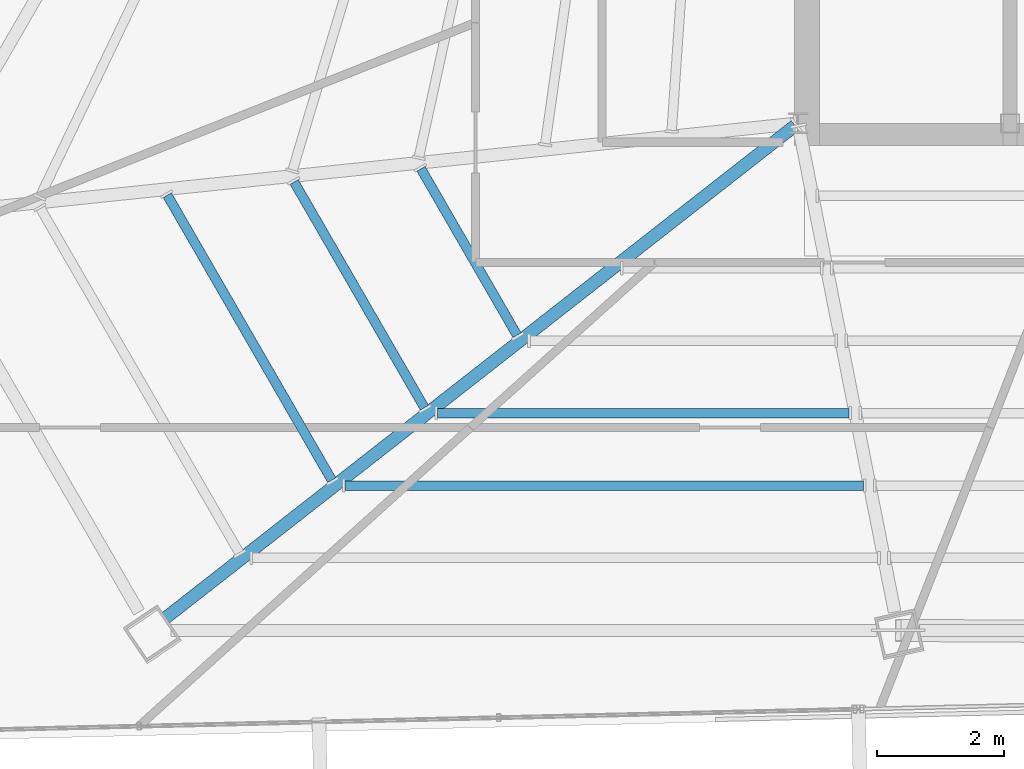
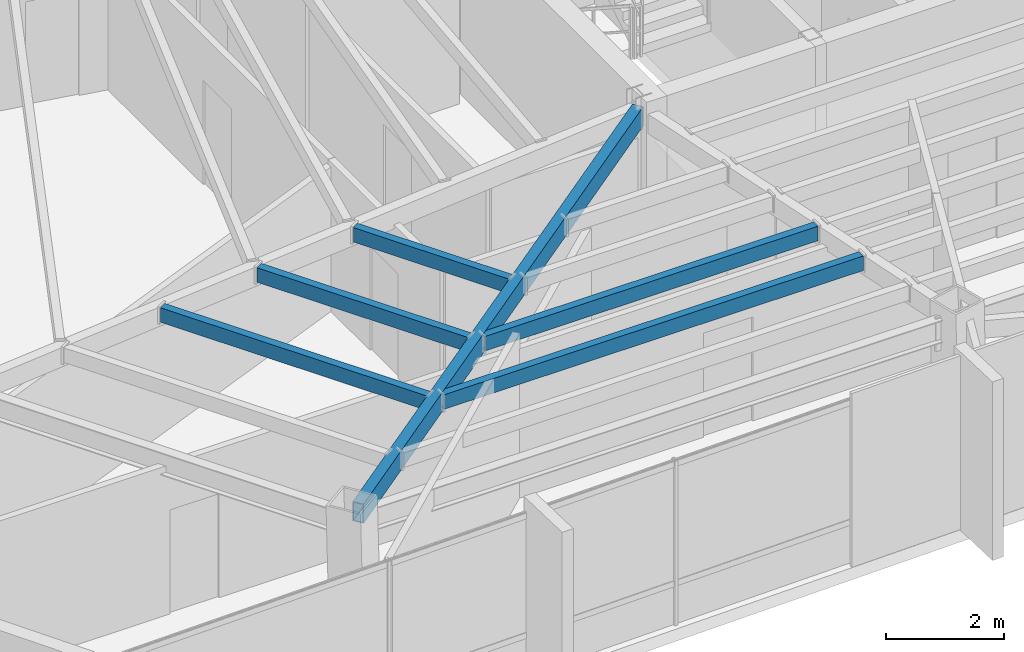
# One storey, part 6 of 47: 6 beams.
"""IFC4 building model written with IfcOpenShell, lengths in metres."""

import ifcopenshell
import ifcopenshell.guid

model = None  # the IFC model being written
_history = None  # IfcOwnerHistory: only IFC2X3 demands one
_inside = {}  # id of a spatial element -> (the spatial element, [elements in it])
_under = {}  # id of a project, library or spatial element -> (it, [spatial elements below it])
_declared = {}  # id of a project -> (the project, [libraries it declares])
_typed = {}  # id of a type object -> (the type object, [elements of that type])
_made_of = {}  # id of a material, layer set ... -> (it, [elements and type objects made of it])


def new_model(schema):
    """Start an empty IFC model of exactly this schema.

    Asked for "IFC4X3", IfcOpenShell would pick the latest addendum, in which some entities
    have other attributes; the version numbers below select the first issue.
    IFC2X3 requires an IfcOwnerHistory on every rooted entity: one is made here for all.
    """
    global model, _history
    if schema == "IFC4X3":
        model = ifcopenshell.file(schema_version=(4, 3, 0, 0))
    else:
        model = ifcopenshell.file(schema=schema)
    _inside.clear()
    _under.clear()
    _declared.clear()
    _typed.clear()
    _made_of.clear()
    _history = None
    if model.schema == "IFC2X3":
        org = make("IfcOrganization", Name="unknown")
        user = make(
            "IfcPersonAndOrganization",
            ThePerson=make("IfcPerson", FamilyName="unknown"),
            TheOrganization=org,
        )
        app = make(
            "IfcApplication",
            ApplicationDeveloper=org,
            Version="unknown",
            ApplicationFullName="unknown",
            ApplicationIdentifier="unknown",
        )
        _history = make(
            "IfcOwnerHistory",
            OwningUser=user,
            OwningApplication=app,
            ChangeAction="ADDED",
            CreationDate=0,
        )
    return model


def make(cls, **values):
    """One entity of the class cls with the attributes given. An attribute that is None is left unset."""
    return model.create_entity(
        cls, **{name: value for name, value in values.items() if value is not None}
    )


def rooted(cls, **values):
    """An entity with a GlobalId (a new one), such as an element, a storey or a relation."""
    return make(cls, GlobalId=ifcopenshell.guid.new(), OwnerHistory=_history, **values)


def si_unit(unit_type, name, prefix=None):
    """IfcSIUnit, for example si_unit("LENGTHUNIT", "METRE", prefix="MILLI")."""
    return make("IfcSIUnit", UnitType=unit_type, Prefix=prefix, Name=name)


def assignment(units):
    """IfcUnitAssignment: the units of a project."""
    return None if units is None else make("IfcUnitAssignment", Units=units)


def point(xyz):
    """IfcCartesianPoint."""
    return None if xyz is None else make("IfcCartesianPoint", Coordinates=xyz)


def direction(xyz):
    """IfcDirection."""
    return None if xyz is None else make("IfcDirection", DirectionRatios=xyz)


def frame(location, z_axis=None, x_axis=None):
    """IfcAxis2Placement3D, a coordinate frame: its origin and axes. An axis left out is left unset."""
    return make(
        "IfcAxis2Placement3D",
        Location=point(location),
        Axis=direction(z_axis),
        RefDirection=direction(x_axis),
    )


def frame_2d(location, x_axis=None):
    """IfcAxis2Placement2D, a coordinate frame in the plane: its origin and x axis."""
    return make(
        "IfcAxis2Placement2D", Location=point(location), RefDirection=direction(x_axis)
    )


def origin():
    """The frame at (0, 0, 0) with its axes left unset."""
    return frame((0.0, 0.0, 0.0))


def origin_2d():
    """The frame at (0, 0) in the plane with its x axis left unset."""
    return frame_2d((0.0, 0.0))


def place(relative_to, where):
    """IfcLocalPlacement: puts the frame where relative to a parent placement (None: the world)."""
    return make(
        "IfcLocalPlacement", PlacementRelTo=relative_to, RelativePlacement=where
    )


def context(
    kind, dimensions, precision=None, world=None, true_north=None, identifier=None
):
    """IfcGeometricRepresentationContext, for example the 3D "Model" context."""
    return make(
        "IfcGeometricRepresentationContext",
        ContextIdentifier=identifier,
        ContextType=kind,
        CoordinateSpaceDimension=dimensions,
        Precision=precision,
        WorldCoordinateSystem=world,
        TrueNorth=true_north,
    )


def subcontext(parent, identifier, kind, view, scale=None):
    """IfcGeometricRepresentationSubContext, for example "Body" below "Model"."""
    return make(
        "IfcGeometricRepresentationSubContext",
        ContextIdentifier=identifier,
        ContextType=kind,
        ParentContext=parent,
        TargetScale=scale,
        TargetView=view,
    )


def project(units=None, contexts=None):
    """IfcProject with its units and contexts."""
    return rooted(
        "IfcProject",
        Name="project",
        RepresentationContexts=contexts,
        UnitsInContext=assignment(units),
    )


def spatial(cls, under=None, at=None, **own):
    """A site, building, storey or space (cls), placed at a placement, below another one or the project."""
    s = rooted(cls, ObjectPlacement=at, **own)
    if under is not None:
        _under.setdefault(under.id(), (under, []))[1].append(s)
    return s


def profile(cls, at=None, kind="AREA", **sizes):
    """A parametric profile (cls). Its sizes go by their IFC names, for example OverallWidth=200.0."""
    return make(cls, ProfileType=kind, Position=at, **sizes)


def hollow_rectangle(**sizes):
    """IfcRectangleHollowProfileDef."""
    return profile("IfcRectangleHollowProfileDef", **sizes)


def extrude(swept, where, along, depth):
    """IfcExtrudedAreaSolid: the profile swept, set in the frame where, extruded along a direction by depth."""
    return make(
        "IfcExtrudedAreaSolid",
        SweptArea=swept,
        Position=where,
        ExtrudedDirection=direction(along),
        Depth=depth,
    )


def shape(context_of_items, identifier, shape_type, items):
    """IfcShapeRepresentation: the items that make up one representation, for example the "Body"."""
    return make(
        "IfcShapeRepresentation",
        ContextOfItems=context_of_items,
        RepresentationIdentifier=identifier,
        RepresentationType=shape_type,
        Items=items,
    )


def source(mapping_origin, context_of_items, identifier, shape_type, items):
    """IfcRepresentationMap: a shape defined once, which mapped items show again and again."""
    return make(
        "IfcRepresentationMap",
        MappingOrigin=mapping_origin,
        MappedRepresentation=shape(context_of_items, identifier, shape_type, items),
    )


def transform(
    local_origin,
    x_axis=None,
    y_axis=None,
    z_axis=None,
    scale=None,
    scale2=None,
    scale3=None,
    uniform=True,
):
    """IfcCartesianTransformationOperator3D, or its non-uniform kind. x_axis, y_axis, z_axis: its Axis1, 2, 3."""
    if uniform:
        return make(
            "IfcCartesianTransformationOperator3D",
            Axis1=direction(x_axis),
            Axis2=direction(y_axis),
            LocalOrigin=point(local_origin),
            Scale=scale,
            Axis3=direction(z_axis),
        )
    return make(
        "IfcCartesianTransformationOperator3DnonUniform",
        Axis1=direction(x_axis),
        Axis2=direction(y_axis),
        LocalOrigin=point(local_origin),
        Scale=scale,
        Axis3=direction(z_axis),
        Scale2=scale2,
        Scale3=scale3,
    )


def mapped(mapping_source, mapping_target):
    """IfcMappedItem: shows the shape of a source again, moved by a transform."""
    return make(
        "IfcMappedItem", MappingSource=mapping_source, MappingTarget=mapping_target
    )


def material(Name=None, Category=None):
    """IfcMaterial."""
    return make("IfcMaterial", Name=Name, Category=Category)


def material_profile(
    of_material, cross_section, Name=None, Category=None, Priority=None
):
    """IfcMaterialProfile: a cross section and its material."""
    return make(
        "IfcMaterialProfile",
        Name=Name,
        Material=of_material,
        Profile=cross_section,
        Priority=Priority,
        Category=Category,
    )


def profile_set(profiles, Name=None, composite=None):
    """IfcMaterialProfileSet."""
    return make(
        "IfcMaterialProfileSet",
        Name=Name,
        MaterialProfiles=profiles,
        CompositeProfile=composite,
    )


def made_of(thing, what):
    """Note that an element or type object is made of a material, layer set ...; save() writes the relation."""
    if what is not None:
        _made_of.setdefault(what.id(), (what, []))[1].append(thing)
    return thing


def type_object(cls, material=None, **own):
    """A type object (cls), such as IfcWallType, which elements share."""
    return made_of(rooted(cls, **own), material)


def type_shapes(of_type, sources):
    """Give a type object the sources (RepresentationMaps) that its elements show as mapped items."""
    of_type.RepresentationMaps = sources


def element(
    cls,
    number,
    at=None,
    inside=None,
    cuts=None,
    type_object=None,
    material=None,
    context=None,
    identifier="Body",
    shape_type=None,
    held_by="IfcProductDefinitionShape",
    body=None,
    shapes=None,
    **own,
):
    """One element of the class cls, such as IfcWall. Its Tag is "e" and its number.

    at: its placement. inside: the storey or other place that contains it. cuts: it is an
    opening in that element (IfcRelVoidsElement). A single representation is given by context,
    identifier, shape_type and body (its items); several are given by shapes. held_by: the class
    of the entity that holds the representations. save() writes the other relations.
    """
    e = rooted(cls, Tag="e%d" % number, ObjectPlacement=at, **own)
    if body is not None:
        shapes = [shape(context, identifier, shape_type, body)]
    if shapes is not None:
        e.Representation = make(held_by, Representations=shapes)
    if inside is not None:
        _inside.setdefault(inside.id(), (inside, []))[1].append(e)
    if cuts is not None:
        rooted(
            "IfcRelVoidsElement", RelatingBuildingElement=cuts, RelatedOpeningElement=e
        )
    if type_object is not None:
        _typed.setdefault(type_object.id(), (type_object, []))[1].append(e)
    return made_of(e, material)


def aggregate(whole, parts):
    """IfcRelAggregates: a whole, such as a stair, and the parts it consists of."""
    return rooted("IfcRelAggregates", RelatingObject=whole, RelatedObjects=parts)


def save(model, path):
    """Write the relations noted so far, then the file.

    IfcRelAggregates (storeys below a building ...), IfcRelContainedInSpatialStructure (elements
    in a storey), IfcRelDefinesByType, IfcRelAssociatesMaterial and IfcRelDeclares: one each for
    every whole, place, type object, material and project.
    """
    for whole, parts in _under.values():
        aggregate(whole, parts)
    for where, things in _inside.values():
        rooted(
            "IfcRelContainedInSpatialStructure",
            RelatedElements=things,
            RelatingStructure=where,
        )
    for kind, things in _typed.values():
        rooted("IfcRelDefinesByType", RelatedObjects=things, RelatingType=kind)
    for what, things in _made_of.values():
        rooted("IfcRelAssociatesMaterial", RelatedObjects=things, RelatingMaterial=what)
    for by, libraries in _declared.values():
        rooted("IfcRelDeclares", RelatingContext=by, RelatedDefinitions=libraries)
    model.write(path)


model = new_model("IFC4")

# Units and contexts
model_context = context("Model", 3, precision=1e-05, world=origin(), true_north=direction((0.0, 1.0)))
body_context = subcontext(model_context, "Body", "Model", "MODEL_VIEW")
ifc_project = project(units=[si_unit("LENGTHUNIT", "METRE"), si_unit("AREAUNIT", "SQUARE_METRE"), si_unit("VOLUMEUNIT", "CUBIC_METRE"), si_unit("PLANEANGLEUNIT", "RADIAN"), si_unit("MASSUNIT", "GRAM", prefix="KILO")], contexts=[model_context])

# Site, building, storey
site_placement = place(None, origin())
site = spatial("IfcSite", under=ifc_project, at=site_placement, CompositionType="ELEMENT")
building_placement = place(site_placement, origin())
building = spatial("IfcBuilding", under=site, at=building_placement, Name="Caelisora Broadcast Tower", CompositionType="ELEMENT")
storey_placement = place(building_placement, frame((0.0, 0.0, 255.39990234375)))
storey = spatial("IfcBuildingStorey", under=building, at=storey_placement, Name="L67", CompositionType="ELEMENT", Elevation=255.39990234375)

# Beams
ifc_material = material(Name="Steel Grade 350 (AS/NZS 1163 C350L0)", Category="steel")
ifc_material_profile_1 = material_profile(ifc_material, hollow_rectangle(XDim=0.199951171875, YDim=0.39990234375, WallThickness=0.012451171875, at=origin_2d()), Name="Steel Grade 350 (AS/NZS 1163 C350L0)")
ifc_profile_set_1 = profile_set([ifc_material_profile_1], Name="Steel Grade 350 (AS/NZS 1163 C350L0)")
beam_type_1 = type_object("IfcBeamType", Name="PG07", PredefinedType="BEAM", material=ifc_profile_set_1)
shared_shape_1 = source(origin(), body_context, "Body", "SweptSolid", [
    extrude(hollow_rectangle(XDim=0.199951171875, YDim=0.39990234375, WallThickness=0.012451171875, at=origin_2d()), origin(), (0.0, 0.0, 1.0), 12.653564453125),
])
type_shapes(beam_type_1, [shared_shape_1])
beam_1_placement = place(storey_placement, frame((30.45263671875, 17.363037109375, 3.2001953125), z_axis=(-0.787725624068, -0.616026250404, 0.0), x_axis=(0.616026250404, -0.787725624068, 0.0)))
element("IfcBeam", 1, at=beam_1_placement, inside=storey, type_object=beam_type_1, Name="L67 beam PG07", PredefinedType="BEAM", context=body_context, shape_type="MappedRepresentation", body=[
    mapped(shared_shape_1, transform((0.0, 0.0, 0.0), scale=1.0)),
])
ifc_material_profile_2 = material_profile(ifc_material, hollow_rectangle(XDim=0.14990234375, YDim=0.300048828125, WallThickness=0.010009765625, at=origin_2d()), Name="Steel Grade 350 (AS/NZS 1163 C350L0)")
ifc_profile_set_2 = profile_set([ifc_material_profile_2], Name="Steel Grade 350 (AS/NZS 1163 C350L0)")
beam_type_2 = type_object("IfcBeamType", Name="SB05", PredefinedType="JOIST", material=ifc_profile_set_2)
shared_shape_2 = source(origin(), body_context, "Body", "SweptSolid", [
    extrude(hollow_rectangle(XDim=0.14990234375, YDim=0.300048828125, WallThickness=0.010009765625, at=origin_2d()), origin(), (0.0, 0.0, 1.0), 3.037841796875),
])
beam_2_placement = place(storey_placement, frame((24.53955078125, 16.680419921875, 3.25), z_axis=(0.49996826437, -0.866043725583, 0.0), x_axis=(0.866043725583, 0.49996826437, 0.0)))
element("IfcBeam", 2, at=beam_2_placement, inside=storey, type_object=beam_type_2, Name="L67 beam SB05", PredefinedType="JOIST", context=body_context, shape_type="MappedRepresentation", body=[
    mapped(shared_shape_2, transform((0.0, 0.0, 0.0), scale=1.0)),
])
shared_shape_3 = source(origin(), body_context, "Body", "SweptSolid", [
    extrude(hollow_rectangle(XDim=0.14990234375, YDim=0.300048828125, WallThickness=0.010009765625, at=origin_2d()), origin(), (0.0, 0.0, 1.0), 4.118408203125),
])
beam_3_placement = place(storey_placement, frame((22.534912109375, 16.47119140625, 3.25), z_axis=(0.499977321112, -0.866038497051, 0.0), x_axis=(0.866038497051, 0.499977321112, 0.0)))
element("IfcBeam", 3, at=beam_3_placement, inside=storey, type_object=beam_type_2, Name="L67 beam SB05", PredefinedType="JOIST", context=body_context, shape_type="MappedRepresentation", body=[
    mapped(shared_shape_3, transform((0.0, 0.0, 0.0), scale=1.0)),
])
shared_shape_4 = source(origin(), body_context, "Body", "SweptSolid", [
    extrude(hollow_rectangle(XDim=0.14990234375, YDim=0.300048828125, WallThickness=0.010009765625, at=origin_2d()), origin(), (0.0, 0.0, 1.0), 5.19921875),
])
beam_4_placement = place(storey_placement, frame((20.5302734375, 16.26220703125, 3.25), z_axis=(0.499997499024, -0.866026847719, 0.0), x_axis=(0.866026847719, 0.499997499024, 0.0)))
element("IfcBeam", 4, at=beam_4_placement, inside=storey, type_object=beam_type_2, Name="L67 beam SB05", PredefinedType="JOIST", context=body_context, shape_type="MappedRepresentation", body=[
    mapped(shared_shape_4, transform((0.0, 0.0, 0.0), scale=1.0)),
])
shared_shape_5 = source(origin(), body_context, "Body", "SweptSolid", [
    extrude(hollow_rectangle(XDim=0.14990234375, YDim=0.300048828125, WallThickness=0.010009765625, at=origin_2d()), origin(), (0.0, 0.0, 1.0), 6.50341796875),
])
beam_5_placement = place(storey_placement, frame((24.802490234375, 12.819580078125, 3.25), z_axis=(1.0, 0.0, 0.0), x_axis=(0.0, 1.0, 0.0)))
element("IfcBeam", 5, at=beam_5_placement, inside=storey, type_object=beam_type_2, Name="L67 beam SB05", PredefinedType="JOIST", context=body_context, shape_type="MappedRepresentation", body=[
    mapped(shared_shape_5, transform((0.0, 0.0, 0.0), scale=1.0)),
])
shared_shape_6 = source(origin(), body_context, "Body", "SweptSolid", [
    extrude(hollow_rectangle(XDim=0.14990234375, YDim=0.300048828125, WallThickness=0.010009765625, at=origin_2d()), origin(), (0.0, 0.0, 1.0), 8.194091796875),
])
type_shapes(beam_type_2, [shared_shape_2, shared_shape_3, shared_shape_4, shared_shape_5, shared_shape_6])
beam_6_placement = place(storey_placement, frame((23.338134765625, 11.674560546875, 3.25), z_axis=(1.0, 0.0, 0.0), x_axis=(0.0, 1.0, 0.0)))
element("IfcBeam", 6, at=beam_6_placement, inside=storey, type_object=beam_type_2, Name="L67 beam SB05", PredefinedType="JOIST", context=body_context, shape_type="MappedRepresentation", body=[
    mapped(shared_shape_6, transform((0.0, 0.0, 0.0), scale=1.0)),
])

save(model, "model.ifc")
